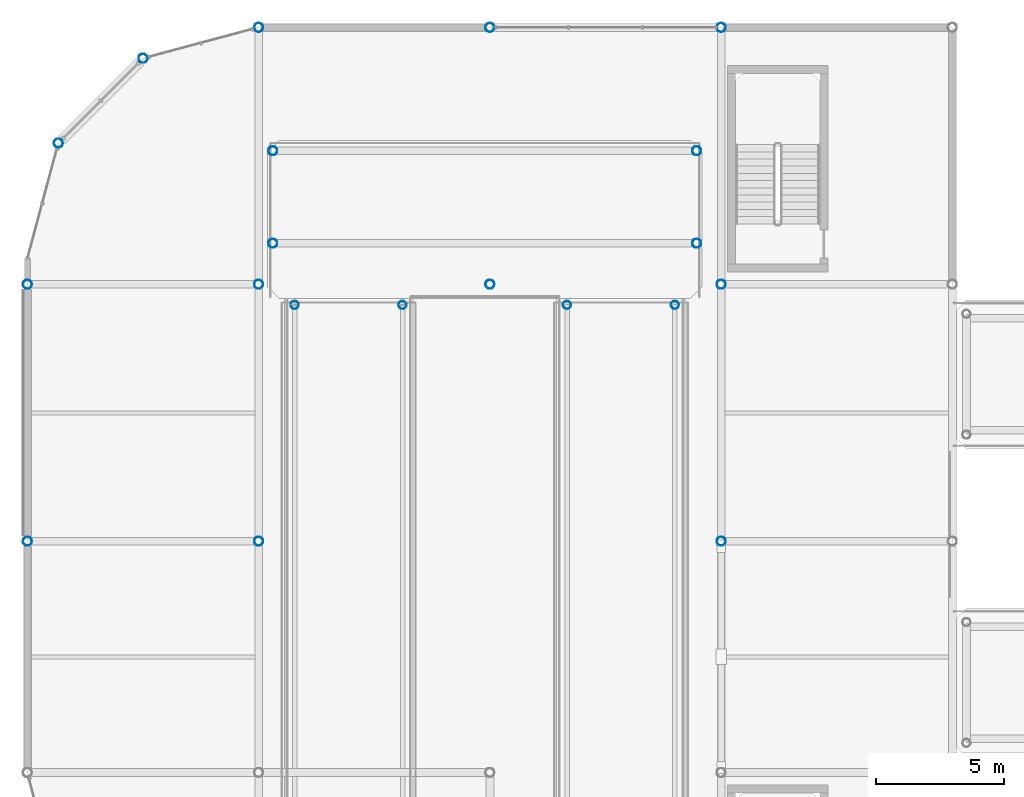
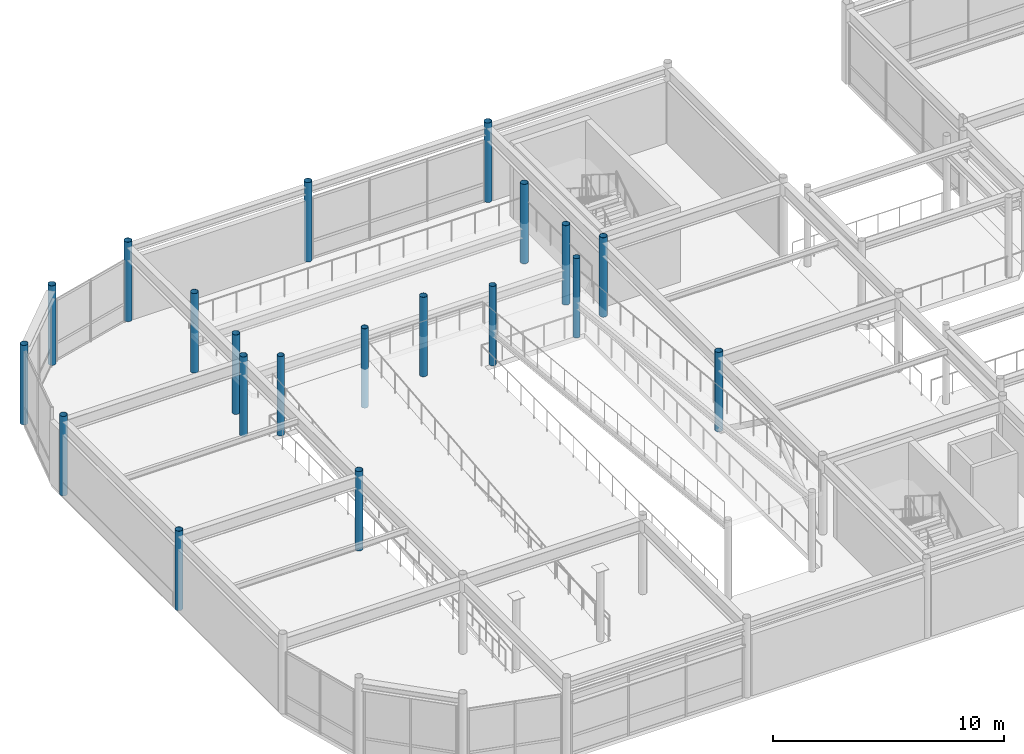
# One storey, part 11 of 108: 20 columns.
"""IFC4 building model written with IfcOpenShell, lengths in metres."""

from ifc_helpers import new_model, si_unit, direction, frame, origin, origin_2d, place, context, subcontext, project, spatial, hollow_circle, extrude, material, material_profile, profile_set, type_object, element, save


model = new_model("IFC4")

# Units and contexts
model_context = context("Model", 3, precision=1e-05, world=origin(), true_north=direction((0.0, 1.0)))
body_context = subcontext(model_context, "Body", "Model", "MODEL_VIEW")
ifc_project = project(units=[si_unit("LENGTHUNIT", "METRE"), si_unit("AREAUNIT", "SQUARE_METRE"), si_unit("VOLUMEUNIT", "CUBIC_METRE"), si_unit("PLANEANGLEUNIT", "RADIAN"), si_unit("MASSUNIT", "GRAM", prefix="KILO")], contexts=[model_context])

# Site, building, storey
site_placement = place(None, origin())
site = spatial("IfcSite", under=ifc_project, at=site_placement, CompositionType="ELEMENT")
building_placement = place(site_placement, origin())
building = spatial("IfcBuilding", under=site, at=building_placement, Name="Suzunagisa Mobility Hub", CompositionType="ELEMENT")
storey_placement = place(building_placement, frame((0.0, 0.0, 9.300048828125)))
storey = spatial("IfcBuildingStorey", under=building, at=storey_placement, Name="L02", CompositionType="ELEMENT", Elevation=9.300048828125)

# Columns
ifc_material = material(Name="Steel SN490B", Category="steel")
ifc_material_profile_1 = material_profile(ifc_material, hollow_circle(Radius=0.1591796875, WallThickness=0.01025390625, at=origin_2d()), Name="CHS-318.5x10.3")
ifc_profile_set_1 = profile_set([ifc_material_profile_1], Name="Steel SN490B")
column_type_1 = type_object("IfcColumnType", Name="Steel Column CL-09 CHS-318.5x10.3", PredefinedType="COLUMN", material=ifc_profile_set_1)
for number, where, z_axis, x_axis, name in (
    (1, (10.39990234375, 107.199951171875, 0.0), (0.0, 0.0, 1.0), (1.0, 0.0, 0.0), "L02 Column 36"),
    (2, (14.60009765625, 107.199951171875, 0.0), (0.0, 0.0, 1.0), (1.0, 0.0, 0.0), "L02 Column 39"),
    (3, (21.0, 107.199951171875, 0.0), (0.0, 0.0, 1.0), (1.0, 0.0, 0.0), "L02 Column 56"),
    (4, (25.199951171875, 107.199951171875, 0.0), (0.0, 0.0, 1.0), (1.0, 0.0, 0.0), "L02 Column 58"),
):
    element("IfcColumn", number, at=place(storey_placement, frame(where, z_axis=z_axis, x_axis=x_axis)), inside=storey, type_object=column_type_1, Name=name, PredefinedType="COLUMN", context=body_context, shape_type="SweptSolid", body=[
        extrude(hollow_circle(Radius=0.1591796875, WallThickness=0.01025390625, at=origin_2d()), origin(), (0.0, 0.0, 1.0), 4.199951171875),
    ])
ifc_material_profile_2 = material_profile(ifc_material, hollow_circle(Radius=0.177734375, WallThickness=0.0126953125, at=origin_2d()), Name="CHS-355.6x12.7")
ifc_profile_set_2 = profile_set([ifc_material_profile_2], Name="Steel SN490B")
column_type_2 = type_object("IfcColumnType", Name="Steel Column CL-18 CHS-355.6x12.7", PredefinedType="COLUMN", material=ifc_profile_set_2)
for number, where, z_axis, x_axis, name in (
    (5, (0.0, 98.0, 0.0), (0.0, 0.0, 1.0), (1.0, 0.0, 0.0), "L02 Column 9"),
    (6, (0.0, 108.0, 0.0), (0.0, 0.0, 1.0), (1.0, 0.0, 0.0), "L02 Column 10"),
    (7, (1.205810546875, 113.5, 0.0), (0.0, 0.0, 1.0), (1.0, 0.0, 0.0), "L02 Column 14"),
    (8, (4.5, 116.794189453125, 0.0), (0.0, 0.0, 1.0), (1.0, 0.0, 0.0), "L02 Column 19"),
    (9, (9.0, 98.0, 0.0), (0.0, 0.0, 1.0), (1.0, 0.0, 0.0), "L02 Column 30"),
    (10, (9.0, 108.0, 0.0), (0.0, 0.0, 1.0), (1.0, 0.0, 0.0), "L02 Column 31"),
    (11, (9.0, 118.0, 0.0), (0.0, 0.0, 1.0), (1.0, 0.0, 0.0), "L02 Column 32"),
    (12, (9.550048828125, 109.60009765625, 0.0), (0.0, 0.0, 1.0), (1.0, 0.0, 0.0), "L02 Column 33"),
    (13, (9.550048828125, 113.199951171875, 0.0), (0.0, 0.0, 1.0), (1.0, 0.0, 0.0), "L02 Column 34"),
    (14, (18.0, 108.0, 0.0), (0.0, 0.0, 1.0), (1.0, 0.0, 0.0), "L02 Column 52"),
    (15, (18.0, 118.0, 0.0), (0.0, 0.0, 1.0), (1.0, 0.0, 0.0), "L02 Column 53"),
    (16, (26.050048828125, 109.60009765625, 0.0), (0.0, 0.0, 1.0), (1.0, 0.0, 0.0), "L02 Column 60"),
    (17, (26.050048828125, 113.199951171875, 0.0), (0.0, 0.0, 1.0), (1.0, 0.0, 0.0), "L02 Column 61"),
    (18, (27.0, 98.0, 0.0), (0.0, 0.0, 1.0), (1.0, 0.0, 0.0), "L02 Column 72"),
    (19, (27.0, 108.0, 0.0), (0.0, 0.0, 1.0), (1.0, 0.0, 0.0), "L02 Column 73"),
    (20, (27.0, 118.0, 0.0), (0.0, 0.0, 1.0), (1.0, 0.0, 0.0), "L02 Column 74"),
):
    element("IfcColumn", number, at=place(storey_placement, frame(where, z_axis=z_axis, x_axis=x_axis)), inside=storey, type_object=column_type_2, Name=name, PredefinedType="COLUMN", context=body_context, shape_type="SweptSolid", body=[
        extrude(hollow_circle(Radius=0.177734375, WallThickness=0.0126953125, at=origin_2d()), origin(), (0.0, 0.0, 1.0), 4.199951171875),
    ])

save(model, "model.ifc")
